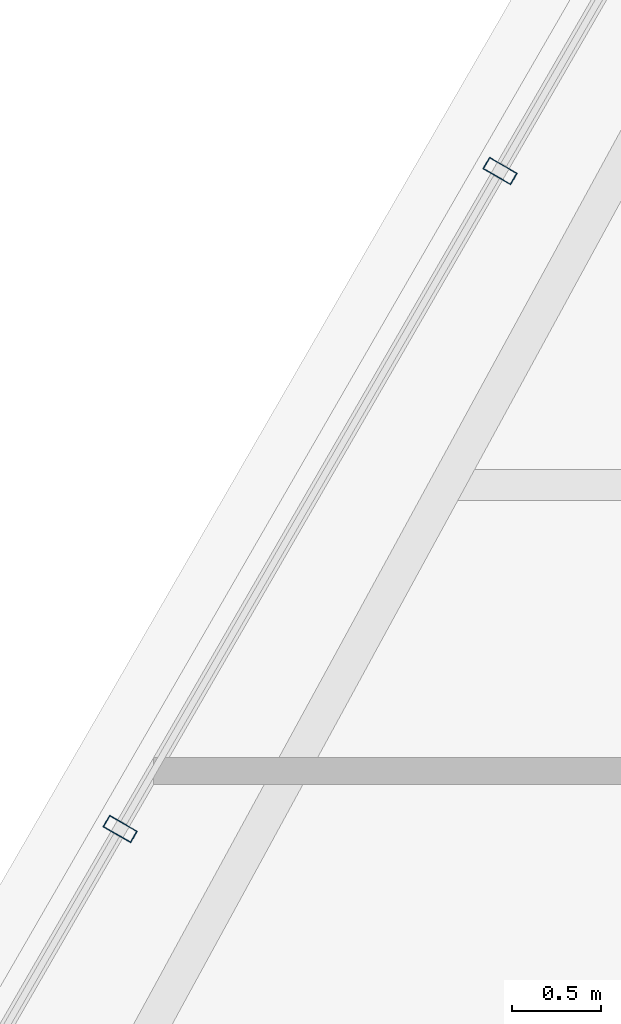
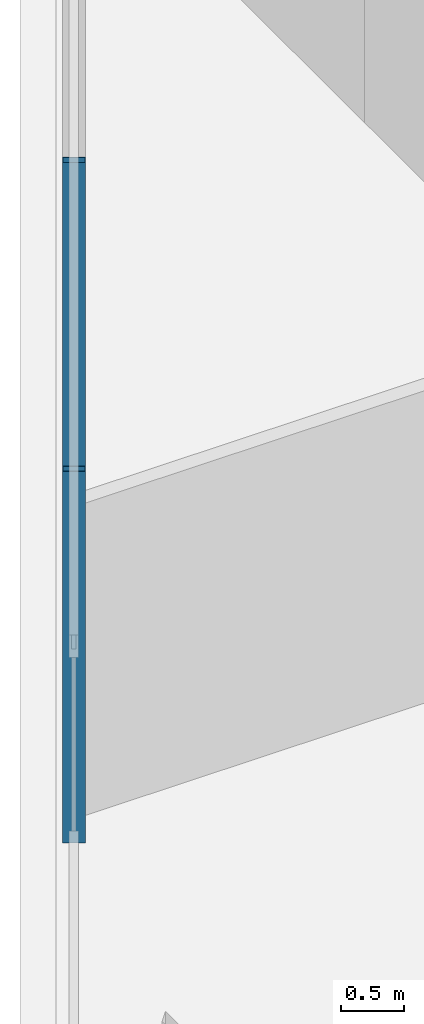
# One storey, part 4 of 34: 2 members, 1 element without a shape of its own.
"""IFC4 building model written with IfcOpenShell, lengths in metres."""

from ifc_helpers import new_model, si_unit, direction, frame, origin, origin_2d, place, context, subcontext, project, spatial, hollow_rectangle, extrude, material, layer, layer_set, material_profile, profile_set, type_object, element, aggregate, save


model = new_model("IFC4")

# Units and contexts
model_context = context("Model", 3, precision=1e-05, world=origin(), true_north=direction((0.0, 1.0)))
body_context = subcontext(model_context, "Body", "Model", "MODEL_VIEW")
ifc_project = project(units=[si_unit("LENGTHUNIT", "METRE"), si_unit("AREAUNIT", "SQUARE_METRE"), si_unit("VOLUMEUNIT", "CUBIC_METRE"), si_unit("PLANEANGLEUNIT", "RADIAN"), si_unit("MASSUNIT", "GRAM", prefix="KILO")], contexts=[model_context])

# Site, building, storey
site_placement = place(None, origin())
site = spatial("IfcSite", under=ifc_project, at=site_placement, CompositionType="ELEMENT")
building_placement = place(site_placement, origin())
building = spatial("IfcBuilding", under=site, at=building_placement, Name="Ndaravel Arena Tower", CompositionType="ELEMENT")
storey_placement = place(building_placement, frame((0.0, 0.0, 191.60009765625)))
storey = spatial("IfcBuildingStorey", under=building, at=storey_placement, Name="L46", CompositionType="ELEMENT", Elevation=191.60009765625)

# Curtain wall, members
ifc_material_1 = material(Name="Aluminium", Category="aluminium")
ifc_layer = layer(ifc_material_1, 0.179931640625)
ifc_layer_set = layer_set([ifc_layer], Name="Aluminium")
curtain_wall_type = type_object("IfcCurtainWallType", Name="CW-SYS-03", PredefinedType="NOTDEFINED", material=ifc_layer_set)
curtain_wall_placement = place(storey_placement, origin())
curtain_wall = element("IfcCurtainWall", 1, at=curtain_wall_placement, inside=storey, type_object=curtain_wall_type, Name="L46 Faceted Crystal Curtain Wall CW-L46-E05", PredefinedType="NOTDEFINED")
ifc_material_2 = material(Name="Aluminium", Category="aluminium")
ifc_material_profile = material_profile(ifc_material_2, hollow_rectangle(XDim=0.074951171875, YDim=0.179931640625, WallThickness=0.00390625, at=origin_2d()), Name="CW MULLION 75x180x4")
ifc_profile_set = profile_set([ifc_material_profile], Name="Aluminium")
member_type = type_object("IfcMemberType", Name="MEM-CW-MUL180", PredefinedType="MULLION", material=ifc_profile_set)
member_1_placement = place(storey_placement, frame((22.59912109375, 20.356689453125, 0.0), z_axis=(0.0, 0.0, 1.0), x_axis=(-0.5, -0.866025403784, 0.0)))
member_1 = element("IfcMember", 2, at=member_1_placement, type_object=member_type, Name="CW-L46-E05 Mullion 07", PredefinedType="MULLION", context=body_context, shape_type="SweptSolid", body=[
    extrude(hollow_rectangle(XDim=0.074951171875, YDim=0.179931640625, WallThickness=0.00390625, at=origin_2d()), origin(), (0.0, 0.0, 1.0), 3.579833984375),
])
member_2_placement = place(storey_placement, frame((20.4736328125, 16.67529296875, 0.0), z_axis=(0.0, 0.0, 1.0), x_axis=(-0.5, -0.866025403784, 0.0)))
member_2 = element("IfcMember", 3, at=member_2_placement, type_object=member_type, Name="CW-L46-E05 Mullion 08", PredefinedType="MULLION", context=body_context, shape_type="SweptSolid", body=[
    extrude(hollow_rectangle(XDim=0.074951171875, YDim=0.179931640625, WallThickness=0.00390625, at=origin_2d()), origin(), (0.0, 0.0, 1.0), 3.579833984375),
])
aggregate(curtain_wall, [member_1, member_2])

save(model, "model.ifc")
